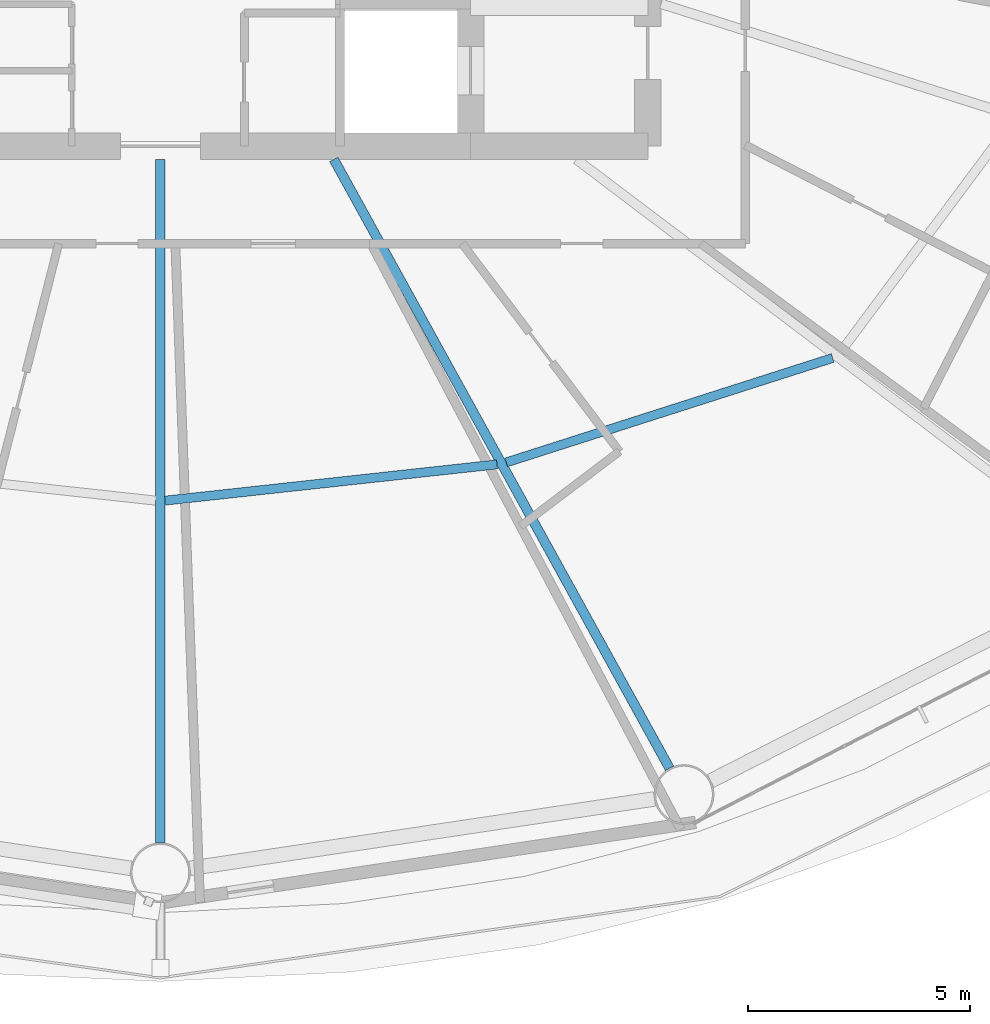
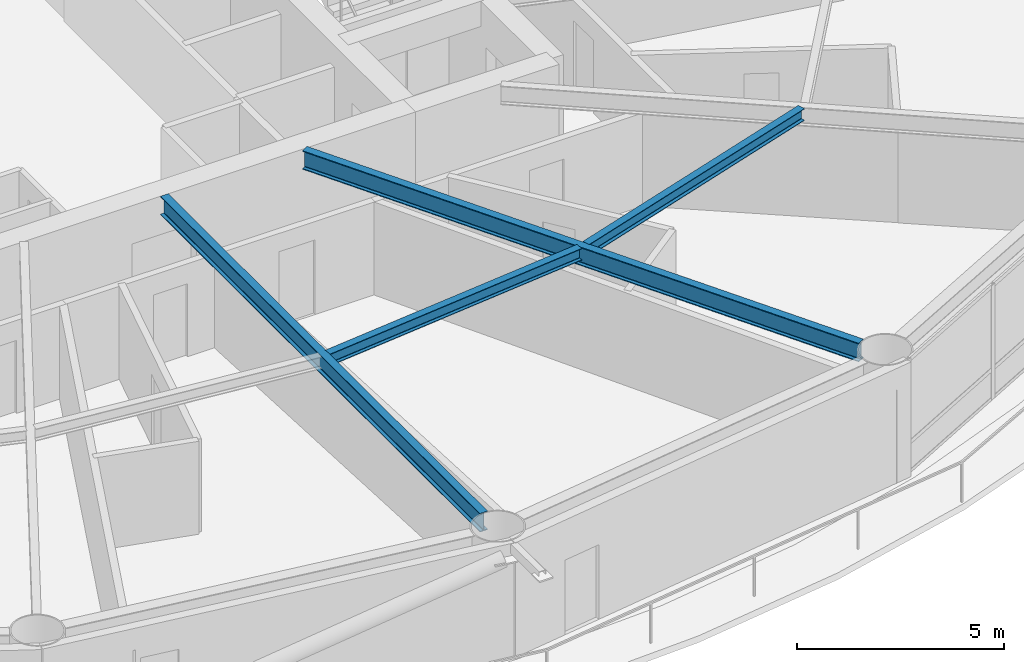
# One storey, part 7 of 26: 4 beams.
"""IFC4 building model written with IfcOpenShell, lengths in metres."""

from ifc_helpers import new_model, si_unit, direction, frame, origin, origin_2d, place, context, subcontext, project, spatial, i_section, extrude, material, material_profile, profile_set, type_object, element, save


model = new_model("IFC4")

# Units and contexts
model_context = context("Model", 3, precision=1e-05, world=origin(), true_north=direction((0.0, 1.0)))
body_context = subcontext(model_context, "Body", "Model", "MODEL_VIEW")
ifc_project = project(units=[si_unit("LENGTHUNIT", "METRE"), si_unit("AREAUNIT", "SQUARE_METRE"), si_unit("VOLUMEUNIT", "CUBIC_METRE"), si_unit("PLANEANGLEUNIT", "RADIAN"), si_unit("MASSUNIT", "GRAM", prefix="KILO")], contexts=[model_context])

# Site, building, storey
site_placement = place(None, origin())
site = spatial("IfcSite", under=ifc_project, at=site_placement, CompositionType="ELEMENT")
building_placement = place(site_placement, origin())
building = spatial("IfcBuilding", under=site, at=building_placement, Name="Sarneth Arch Tower", CompositionType="ELEMENT")
storey_placement = place(building_placement, frame((0.0, 0.0, 39.0)))
storey = spatial("IfcBuildingStorey", under=building, at=storey_placement, Name="L08", CompositionType="ELEMENT", Elevation=39.0)

# Beams
ifc_material_1 = material(Name="Steel S355", Category="steel")
ifc_material_profile_1 = material_profile(ifc_material_1, i_section(OverallWidth=0.2041015625, OverallDepth=0.35009765625, WebThickness=0.008544921875, FlangeThickness=0.01513671875, FilletRadius=0.014892578125, at=origin_2d()), Name="W360x72")
ifc_profile_set_1 = profile_set([ifc_material_profile_1], Name="Steel S355")
beam_type_1 = type_object("IfcBeamType", Name="BM-JOIST-360D", PredefinedType="JOIST", material=ifc_profile_set_1)
beam_1_placement = place(storey_placement, frame((48.1064453125, 27.19921875, 3.205078125), z_axis=(0.994095251924, 0.108510967657, 0.0), x_axis=(-0.108510967657, 0.994095251924, 0.0)))
element("IfcBeam", 1, at=beam_1_placement, inside=storey, type_object=beam_type_1, Name="L08 Secondary floor joist 13", PredefinedType="JOIST", context=body_context, shape_type="SweptSolid", body=[
    extrude(i_section(OverallWidth=0.2041015625, OverallDepth=0.35009765625, WebThickness=0.008544921875, FlangeThickness=0.01513671875, FilletRadius=0.014892578125, at=origin_2d()), origin(), (0.0, 0.0, 1.0), 7.534912109375),
])
beam_2_placement = place(storey_placement, frame((55.80517578125, 28.061279296875, 3.205078125), z_axis=(0.952436240143, 0.304737934073, 0.0), x_axis=(-0.304737934073, 0.952436240143, 0.0)))
element("IfcBeam", 2, at=beam_2_placement, inside=storey, type_object=beam_type_1, Name="L08 Secondary floor joist 14", PredefinedType="JOIST", context=body_context, shape_type="SweptSolid", body=[
    extrude(i_section(OverallWidth=0.2041015625, OverallDepth=0.35009765625, WebThickness=0.008544921875, FlangeThickness=0.01513671875, FilletRadius=0.014892578125, at=origin_2d()), origin(), (0.0, 0.0, 1.0), 7.735107421875),
])
ifc_material_2 = material(Name="Steel S355", Category="steel")
ifc_material_profile_2 = material_profile(ifc_material_2, i_section(OverallWidth=0.214111328125, OverallDepth=0.549072265625, WebThickness=0.0146484375, FlangeThickness=0.023681640625, FilletRadius=0.01806640625, at=origin_2d()), Name="W530x138")
ifc_profile_set_2 = profile_set([ifc_material_profile_2], Name="Steel S355")
beam_type_2 = type_object("IfcBeamType", Name="BM-RAD-530A", PredefinedType="BEAM", material=ifc_profile_set_2)
beam_3_placement = place(storey_placement, frame((48.0, 34.89990234375, 3.10546875), z_axis=(0.0, -1.0, 0.0), x_axis=(1.0, 0.0, 0.0)))
element("IfcBeam", 3, at=beam_3_placement, inside=storey, type_object=beam_type_2, Name="L08 Radial floor girder 13", PredefinedType="BEAM", context=body_context, shape_type="SweptSolid", body=[
    extrude(i_section(OverallWidth=0.214111328125, OverallDepth=0.549072265625, WebThickness=0.0146484375, FlangeThickness=0.023681640625, FilletRadius=0.01806640625, at=origin_2d()), origin(), (0.0, 0.0, 1.0), 15.4248046875),
])
beam_4_placement = place(storey_placement, frame((51.91455078125, 34.89990234375, 3.10546875), z_axis=(0.482837562311, -0.875709933952, 0.0), x_axis=(0.875709933952, 0.482837562311, 0.0)))
element("IfcBeam", 4, at=beam_4_placement, inside=storey, type_object=beam_type_2, Name="L08 Radial floor girder 14", PredefinedType="BEAM", context=body_context, shape_type="SweptSolid", body=[
    extrude(i_section(OverallWidth=0.214111328125, OverallDepth=0.549072265625, WebThickness=0.0146484375, FlangeThickness=0.023681640625, FilletRadius=0.01806640625, at=origin_2d()), origin(), (0.0, 0.0, 1.0), 15.693359375),
])

save(model, "model.ifc")
